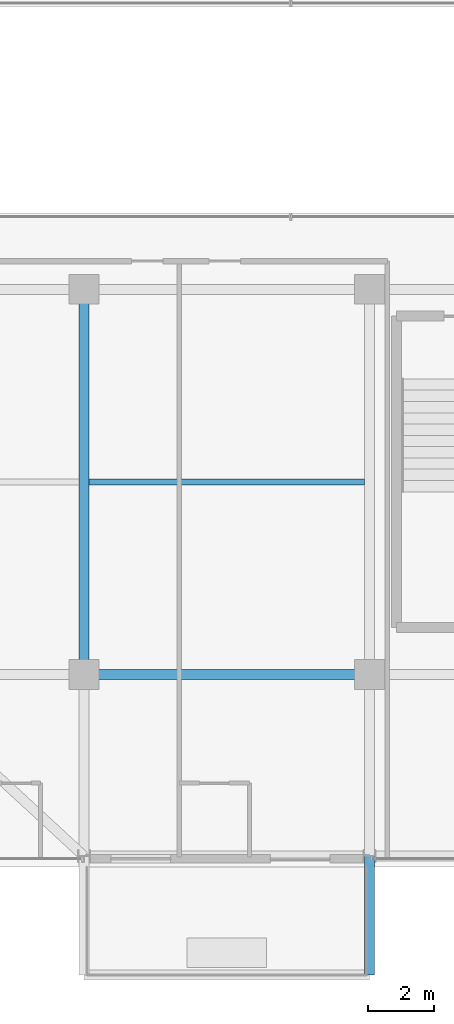
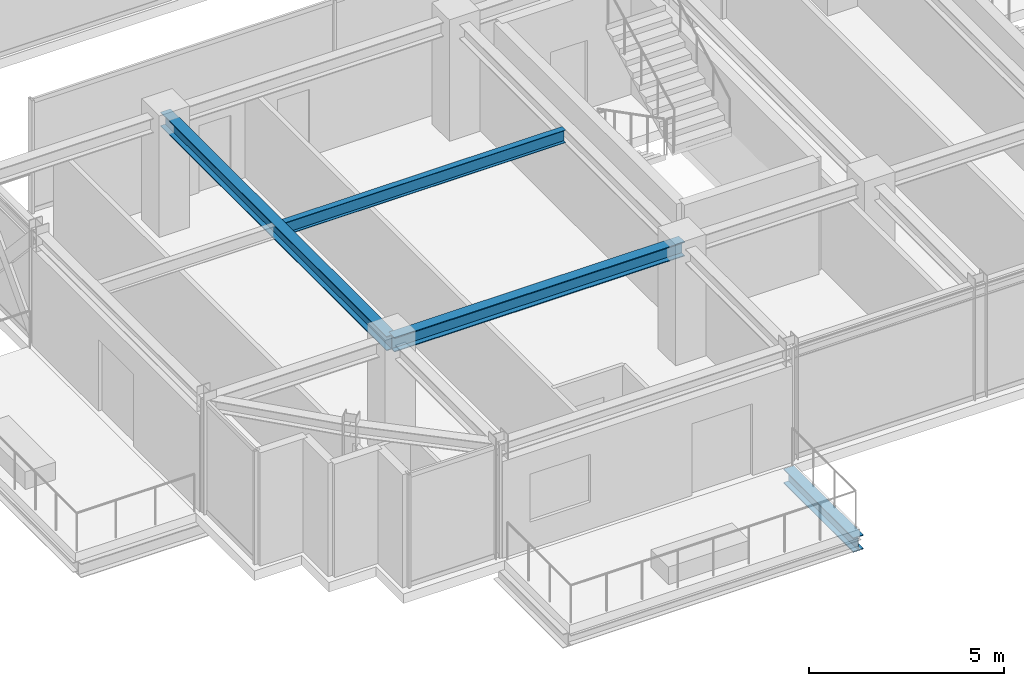
# One storey, part 6 of 37: 4 beams.
"""IFC4 building model written with IfcOpenShell, lengths in metres."""

from ifc_helpers import new_model, si_unit, direction, frame, origin, origin_2d, place, context, subcontext, project, spatial, i_section, extrude, source, transform, mapped, material, material_profile, profile_set, type_object, element, save


model = new_model("IFC4")

# Units and contexts
model_context = context("Model", 3, precision=1e-05, world=origin(), true_north=direction((0.0, 1.0)))
body_context = subcontext(model_context, "Body", "Model", "MODEL_VIEW")
ifc_project = project(units=[si_unit("LENGTHUNIT", "METRE"), si_unit("AREAUNIT", "SQUARE_METRE"), si_unit("VOLUMEUNIT", "CUBIC_METRE"), si_unit("PLANEANGLEUNIT", "RADIAN"), si_unit("MASSUNIT", "GRAM", prefix="KILO")], contexts=[model_context])

# Site, building, storey
site_placement = place(None, origin())
site = spatial("IfcSite", under=ifc_project, at=site_placement, CompositionType="ELEMENT")
building_placement = place(site_placement, origin())
building = spatial("IfcBuilding", under=site, at=building_placement, Name="Nahalor Promenade Grand Hotel", CompositionType="ELEMENT")
storey_placement = place(building_placement, frame((0.0, 0.0, 308.050048828125)))
storey = spatial("IfcBuildingStorey", under=building, at=storey_placement, Name="L79", CompositionType="ELEMENT", Elevation=308.050048828125)

# Beams
ifc_material = material(Name="Steel S355JR", Category="steel")
ifc_material_profile_1 = material_profile(ifc_material, i_section(OverallWidth=0.3, OverallDepth=0.45, WebThickness=0.014, FlangeThickness=0.026, at=origin_2d()), Name="HEB 450")
ifc_profile_set_1 = profile_set([ifc_material_profile_1], Name="Steel S355JR")
beam_type_1 = type_object("IfcBeamType", Name="Beam-Outrigger-HEB450", PredefinedType="BEAM", material=ifc_profile_set_1)
shared_shape_1 = source(origin(), body_context, "Body", "SweptSolid", [
    extrude(i_section(OverallWidth=0.3, OverallDepth=0.45, WebThickness=0.014, FlangeThickness=0.026, at=origin_2d()), origin(), (0.0, 0.0, 1.0), 3.580078125),
])
beam_1_placement = place(storey_placement, frame((-8.39990234375, -26.06005859375, -0.505126953125), z_axis=(0.0, 1.0, 0.0), x_axis=(-1.0, 0.0, 0.0)))
element("IfcBeam", 1, at=beam_1_placement, inside=storey, type_object=beam_type_1, Name="BM-L79-BC-01-2", PredefinedType="BEAM", context=body_context, shape_type="MappedRepresentation", body=[
    mapped(shared_shape_1, transform((0.0, 0.0, 0.0), scale=1.0)),
])
ifc_material_profile_2 = material_profile(ifc_material, i_section(OverallWidth=0.3, OverallDepth=0.45, WebThickness=0.014, FlangeThickness=0.026, at=origin_2d()), Name="HEB 450")
ifc_profile_set_2 = profile_set([ifc_material_profile_2], Name="Steel S355JR")
beam_type_2 = type_object("IfcBeamType", Name="Beam-Girder-HEB450", PredefinedType="BEAM", material=ifc_profile_set_2)
shared_shape_2 = source(origin(), body_context, "Body", "SweptSolid", [
    extrude(i_section(OverallWidth=0.3, OverallDepth=0.45, WebThickness=0.014, FlangeThickness=0.026, at=origin_2d()), origin(), (0.0, 0.0, 1.0), 8.60009765625),
])
beam_2_placement = place(storey_placement, frame((-17.0, -17.0, 3.324951171875), z_axis=(1.0, 0.0, 0.0), x_axis=(0.0, 1.0, 0.0)))
element("IfcBeam", 2, at=beam_2_placement, inside=storey, type_object=beam_type_2, Name="BM-L79-GX-0-1", PredefinedType="BEAM", context=body_context, shape_type="MappedRepresentation", body=[
    mapped(shared_shape_2, transform((0.0, 0.0, 0.0), scale=1.0)),
])
shared_shape_3 = source(origin(), body_context, "Body", "SweptSolid", [
    extrude(i_section(OverallWidth=0.3, OverallDepth=0.45, WebThickness=0.014, FlangeThickness=0.026, at=origin_2d()), origin(), (0.0, 0.0, 1.0), 11.60009765625),
])
beam_3_placement = place(storey_placement, frame((-17.0, -17.0, 3.324951171875), z_axis=(0.0, 1.0, 0.0), x_axis=(-1.0, 0.0, 0.0)))
element("IfcBeam", 3, at=beam_3_placement, inside=storey, type_object=beam_type_2, Name="BM-L79-GY-0-1", PredefinedType="BEAM", context=body_context, shape_type="MappedRepresentation", body=[
    mapped(shared_shape_3, transform((0.0, 0.0, 0.0), scale=1.0)),
])
ifc_material_profile_3 = material_profile(ifc_material, i_section(OverallWidth=0.18, OverallDepth=0.4, WebThickness=0.0086, FlangeThickness=0.0135, at=origin_2d()), Name="IPE 400")
ifc_profile_set_3 = profile_set([ifc_material_profile_3], Name="Steel S355JR")
beam_type_3 = type_object("IfcBeamType", Name="Beam-Joist-IPE400", PredefinedType="JOIST", material=ifc_profile_set_3)
shared_shape_4 = source(origin(), body_context, "Body", "SweptSolid", [
    extrude(i_section(OverallWidth=0.18, OverallDepth=0.4, WebThickness=0.0086, FlangeThickness=0.0135, at=origin_2d()), origin(), (0.0, 0.0, 1.0), 8.300048828125),
])
beam_4_placement = place(storey_placement, frame((-16.85009765625, -11.199951171875, 3.349853515625), z_axis=(1.0, 0.0, 0.0), x_axis=(0.0, 1.0, 0.0)))
element("IfcBeam", 4, at=beam_4_placement, inside=storey, type_object=beam_type_3, Name="BM-L79-JSW-0-1", PredefinedType="JOIST", context=body_context, shape_type="MappedRepresentation", body=[
    mapped(shared_shape_4, transform((0.0, 0.0, 0.0), scale=1.0)),
])

save(model, "model.ifc")
